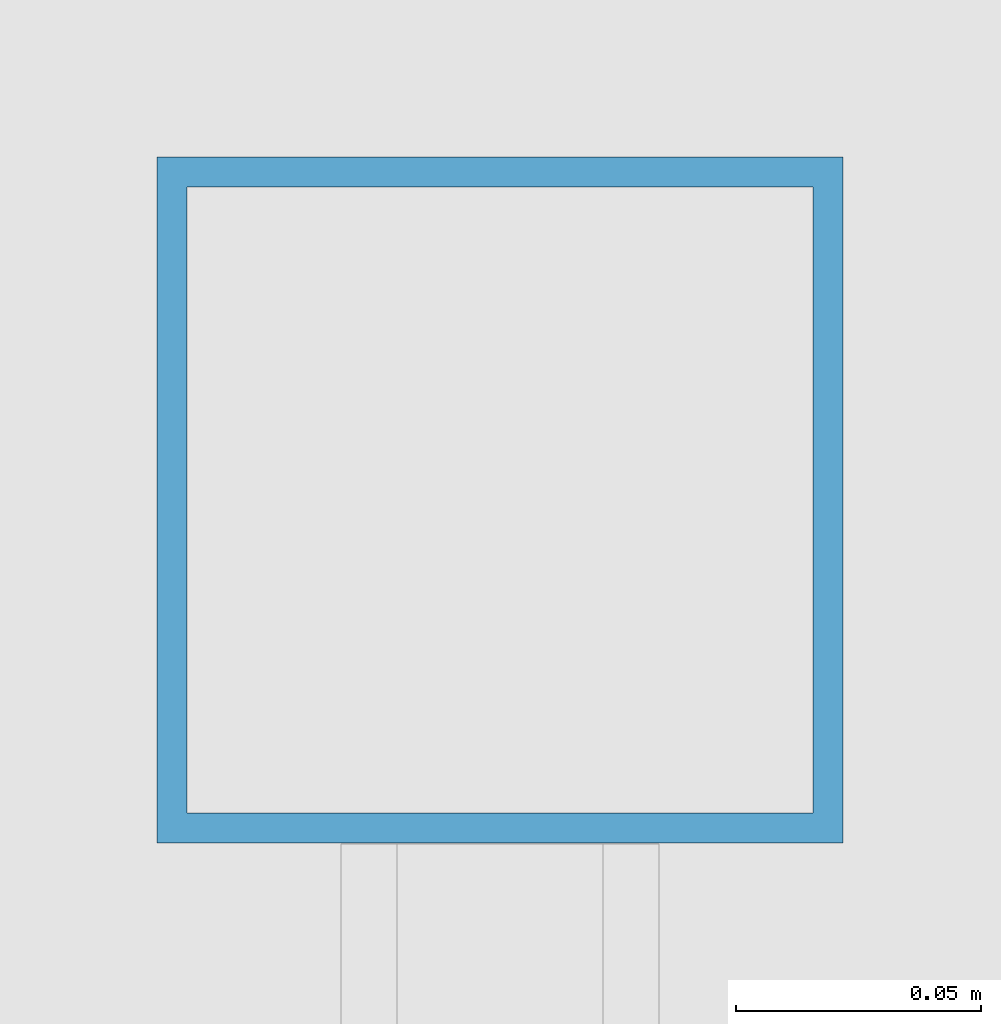
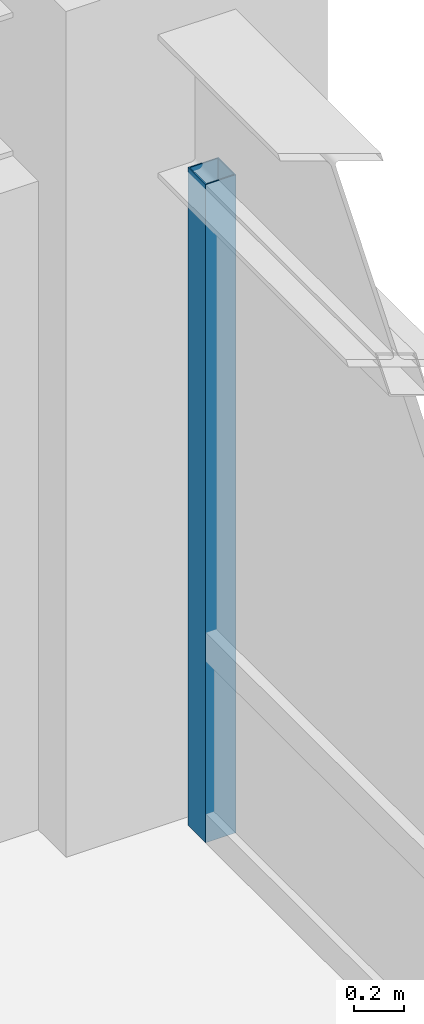
# One storey, part 16 of 27: 1 member, 1 element without a shape of its own.
"""IFC4 building model written with IfcOpenShell, lengths in metres."""

from ifc_helpers import new_model, si_unit, direction, frame, origin, origin_2d, place, context, subcontext, project, spatial, hollow_rectangle, extrude, source, transform, mapped, material, material_profile, profile_set, type_object, element, aggregate, save


model = new_model("IFC4")

# Units and contexts
model_context = context("Model", 3, precision=1e-05, world=origin(), true_north=direction((0.0, 1.0)))
body_context = subcontext(model_context, "Body", "Model", "MODEL_VIEW")
ifc_project = project(units=[si_unit("LENGTHUNIT", "METRE"), si_unit("AREAUNIT", "SQUARE_METRE"), si_unit("VOLUMEUNIT", "CUBIC_METRE"), si_unit("PLANEANGLEUNIT", "RADIAN"), si_unit("MASSUNIT", "GRAM", prefix="KILO")], contexts=[model_context])

# Site, building, storey
site_placement = place(None, origin())
site = spatial("IfcSite", under=ifc_project, at=site_placement, CompositionType="ELEMENT")
building_placement = place(site_placement, origin())
building = spatial("IfcBuilding", under=site, at=building_placement, Name="Khorayat Bourse Tower", CompositionType="ELEMENT")
storey_placement = place(building_placement, frame((0.0, 0.0, 111.89990234375)))
storey = spatial("IfcBuildingStorey", under=building, at=storey_placement, Name="L25", CompositionType="ELEMENT", Elevation=111.89990234375)

# Curtain wall, member
ifc_material = material(Name="Aluminium EN AW-6063 T6", Category="aluminium")
curtain_wall_type = type_object("IfcCurtainWallType", Name="CW-SYS-02", PredefinedType="NOTDEFINED", material=ifc_material)
curtain_wall_placement = place(storey_placement, origin())
curtain_wall = element("IfcCurtainWall", 1, at=curtain_wall_placement, inside=storey, type_object=curtain_wall_type, Name="L25 Curtain Wall CW-L25-E1", PredefinedType="NOTDEFINED")
ifc_material_profile = material_profile(ifc_material, hollow_rectangle(XDim=0.139892578125, YDim=0.139892578125, WallThickness=0.006103515625, at=origin_2d()), Name="ALU 140x140x6")
ifc_profile_set = profile_set([ifc_material_profile], Name="Aluminium EN AW-6063 T6")
member_type = type_object("IfcMemberType", Name="CWM-VERT-140", PredefinedType="MULLION", material=ifc_profile_set)
shared_shape = source(origin(), body_context, "Body", "SweptSolid", [
    extrude(hollow_rectangle(XDim=0.139892578125, YDim=0.139892578125, WallThickness=0.006103515625, at=origin_2d()), origin(), (0.0, 0.0, 1.0), 3.190185546875),
])
member_placement = place(storey_placement, frame((32.0, 27.280029296875, 0.0), z_axis=(0.0, 0.0, 1.0), x_axis=(-1.0, 0.0, 0.0)))
member = element("IfcMember", 2, at=member_placement, type_object=member_type, Name="CW-L25-E1 Vertical Mullion 3", PredefinedType="MULLION", context=body_context, shape_type="MappedRepresentation", body=[
    mapped(shared_shape, transform((0.0, 0.0, 0.0), scale=1.0)),
])
aggregate(curtain_wall, [member])

save(model, "model.ifc")
